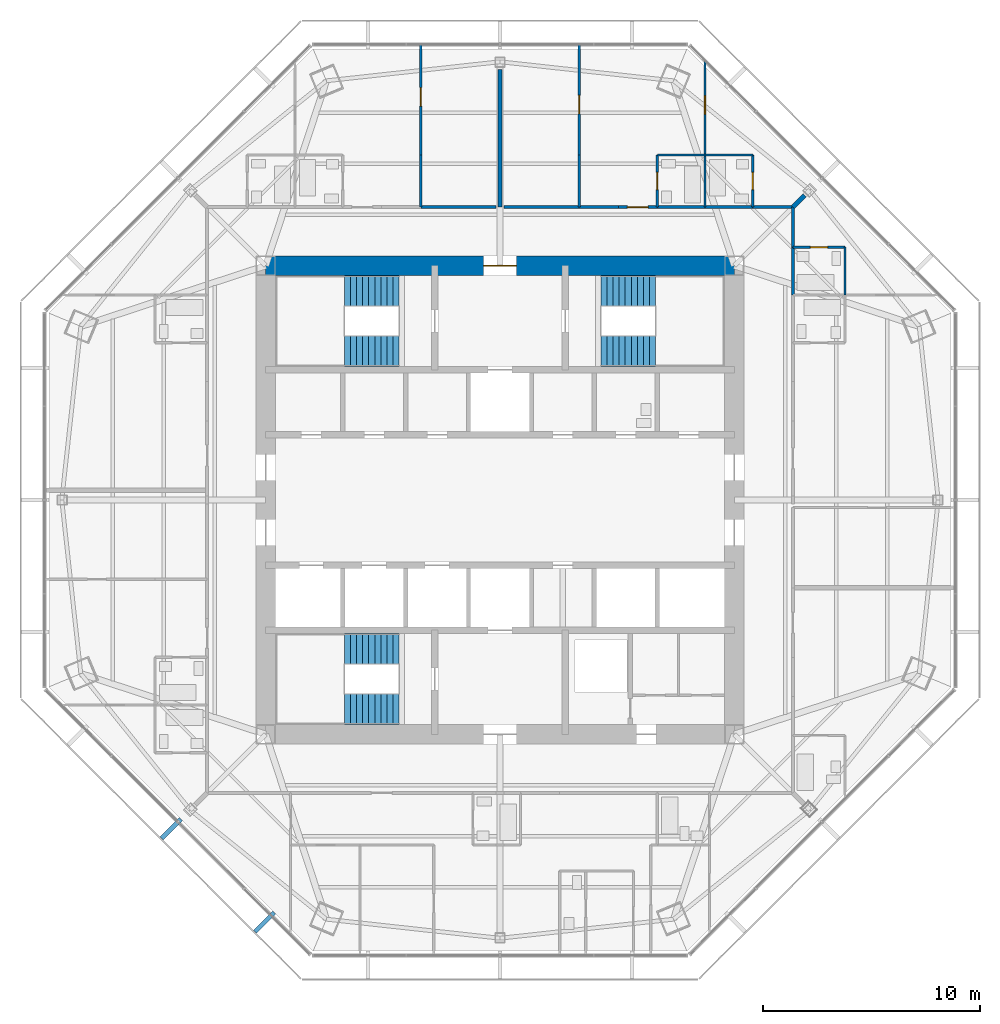
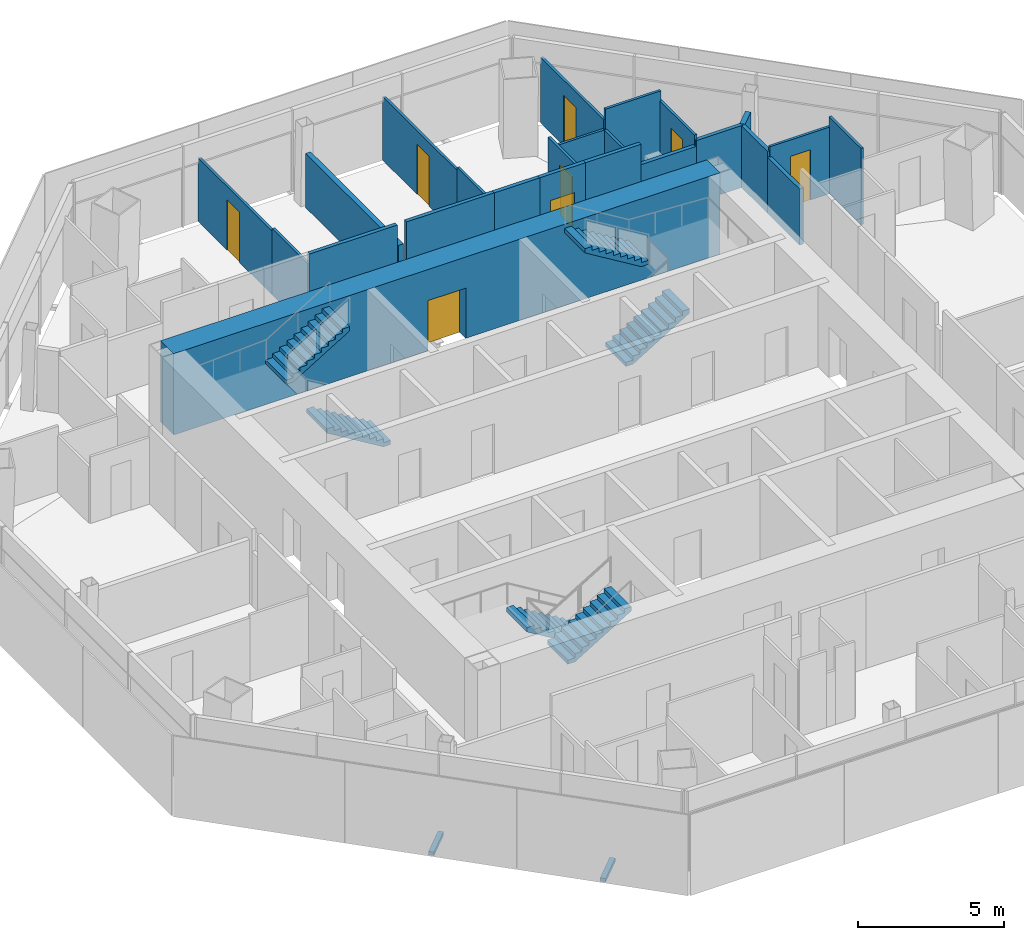
# One storey, part 12 of 15: 24 walls, 8 doors, 6 stair flights, 2 discrete accessories, 8 openings, 3 elements without a shape of their own.
"""IFC4 building model written with IfcOpenShell, lengths in metres."""

from ifc_helpers import new_model, si_unit, direction, frame, frame_2d, origin, origin_2d, place, context, subcontext, project, spatial, polyline, rectangle, outline, extrude, source, transform, mapped, material, layer, layer_set, type_object, type_shapes, element, fill, aggregate, save


model = new_model("IFC4")

# Units and contexts
model_context = context("Model", 3, precision=1e-05, world=origin(), true_north=direction((0.0, 1.0)))
body_context = subcontext(model_context, "Body", "Model", "MODEL_VIEW")
ifc_project = project(units=[si_unit("LENGTHUNIT", "METRE"), si_unit("AREAUNIT", "SQUARE_METRE"), si_unit("VOLUMEUNIT", "CUBIC_METRE"), si_unit("PLANEANGLEUNIT", "RADIAN"), si_unit("MASSUNIT", "GRAM", prefix="KILO")], contexts=[model_context])

# Site, building, storey
site_placement = place(None, origin())
site = spatial("IfcSite", under=ifc_project, at=site_placement, CompositionType="ELEMENT")
building_placement = place(site_placement, origin())
building = spatial("IfcBuilding", under=site, at=building_placement, Name="Mashrafa Tower", CompositionType="ELEMENT")
storey_placement = place(building_placement, frame((0.0, 0.0, 248.199951171875)))
storey = spatial("IfcBuildingStorey", under=building, at=storey_placement, Name="L59", CompositionType="ELEMENT", Elevation=248.199951171875)

# Walls
ifc_material_1 = material(Name="Gypsum board on steel studs", Category="steel")
ifc_layer_1 = layer(ifc_material_1, 0.199951171875)
ifc_layer_set_1 = layer_set([ifc_layer_1], Name="Acoustic partition 200 1 hr")
wall_type_1 = type_object("IfcWallType", Name="Acoustic partition 200 1 hr", PredefinedType="PARTITIONING", material=ifc_layer_set_1)
wall_1_placement = place(storey_placement, frame((14.038330078125, 14.038330078125, 0.0), z_axis=(0.0, 0.0, 1.0), x_axis=(-0.707106781187, -0.707106781187, 0.0)))
element("IfcWall", 1, at=wall_1_placement, inside=storey, type_object=wall_type_1, Name="Acoustic wall L59-055", PredefinedType="PARTITIONING", context=body_context, shape_type="SweptSolid", body=[
    extrude(rectangle(XDim=0.76123046875, YDim=0.199951171875, at=frame_2d((0.380615234375, 0.0))), origin(), (0.0, 0.0, 1.0), 2.588134765625),
])
wall_2_placement = place(storey_placement, frame((0.0, 19.853271484375, 0.0), z_axis=(0.0, 0.0, 1.0), x_axis=(0.0, -1.0, 0.0)))
element("IfcWall", 2, at=wall_2_placement, inside=storey, type_object=wall_type_1, Name="Acoustic wall L59-067", PredefinedType="PARTITIONING", context=body_context, shape_type="SweptSolid", body=[
    extrude(rectangle(XDim=6.353271484375, YDim=0.199951171875, at=frame_2d((3.1767578125, 0.0))), origin(), (0.0, 0.0, 1.0), 2.26806640625),
])

# Wall, opening, door
ifc_material_2 = material(Name="Concrete C50/60", Category="concrete")
ifc_layer_2 = layer(ifc_material_2, 0.89990234375)
ifc_layer_set_2 = layer_set([ifc_layer_2], Name="Core wall 900 C50/60")
wall_type_2 = type_object("IfcWallType", Name="Core wall 900 C50/60", PredefinedType="SOLIDWALL", material=ifc_layer_set_2)
wall_3_placement = place(storey_placement, frame((10.800048828125, 10.800048828125, 0.0), z_axis=(0.0, 0.0, 1.0), x_axis=(-1.0, 0.0, 0.0)))
wall_3 = element("IfcWall", 3, at=wall_3_placement, inside=storey, type_object=wall_type_2, Name="Core wall CW-N L59", PredefinedType="SOLIDWALL", context=body_context, shape_type="SweptSolid", body=[
    extrude(rectangle(XDim=21.60009765625, YDim=0.89990234375, at=frame_2d((10.800048828125, 0.0))), origin(), (0.0, 0.0, 1.0), 3.400146484375),
])
opening_1_placement = place(wall_3_placement, frame((10.050048828125, 0.0, 0.0)))
opening_1 = element("IfcOpeningElement", 4, at=opening_1_placement, cuts=wall_3, Name="Opening 59.040", PredefinedType="OPENING", context=body_context, shape_type="SweptSolid", body=[
    extrude(rectangle(XDim=1.5, YDim=2.10009765625, at=frame_2d((0.75, 1.050048828125))), frame((0.0, 0.4599609375, 0.0), z_axis=(0.0, -1.0, 0.0), x_axis=(1.0, 0.0, 0.0)), (0.0, 0.0, 1.0), 0.919921875),
])
ifc_material_3 = material(Name="Steel door", Category="steel")
door_type_1 = type_object("IfcDoorType", Name="Lobby door pair 1500 x 2100 90 min", OperationType="DOUBLE_DOOR_SINGLE_SWING", PredefinedType="DOOR", material=ifc_material_3)
door_1_placement = place(opening_1_placement, origin())
door_1 = element("IfcDoor", 5, at=door_1_placement, inside=storey, type_object=door_type_1, Name="Fire-fighting lobby F1 door L59", OperationType="DOUBLE_DOOR_SINGLE_SWING", OverallHeight=2.10009765625, OverallWidth=1.5, PredefinedType="DOOR", context=body_context, shape_type="SweptSolid", body=[
    extrude(rectangle(XDim=1.5, YDim=2.10009765625, at=frame_2d((0.75, 1.050048828125))), frame((0.0, 0.02490234375, 0.0), z_axis=(0.0, -1.0, 0.0), x_axis=(1.0, 0.0, 0.0)), (0.0, 0.0, 1.0), 0.050048828125),
])
fill(opening_1, door_1)

# Walls
ifc_material_4 = material(Name="Gypsum board on steel studs", Category="steel")
ifc_layer_3 = layer(ifc_material_4, 0.14990234375)
ifc_layer_set_3 = layer_set([ifc_layer_3], Name="Corridor partition 150 1 hr")
wall_type_3 = type_object("IfcWallType", Name="Corridor partition 150 1 hr", PredefinedType="PARTITIONING", material=ifc_layer_set_3)
wall_4_placement = place(storey_placement, frame((13.5, 9.448974609375, 0.0), z_axis=(0.0, 0.0, 1.0), x_axis=(0.0, 1.0, 0.0)))
element("IfcWall", 6, at=wall_4_placement, inside=storey, type_object=wall_type_3, Name="Corridor wall L59-005", PredefinedType="PARTITIONING", context=body_context, shape_type="SweptSolid", body=[
    extrude(rectangle(XDim=2.201904296875, YDim=0.14990234375, at=frame_2d((1.10107421875, 0.0))), origin(), (0.0, 0.0, 1.0), 2.349365234375),
])
wall_5_placement = place(storey_placement, frame((13.5, 11.64892578125, 0.0), z_axis=(0.0, 0.0, 1.0), x_axis=(0.0, 1.0, 0.0)))
element("IfcWall", 7, at=wall_5_placement, inside=storey, type_object=wall_type_3, Name="Corridor wall L59-006", PredefinedType="PARTITIONING", context=body_context, shape_type="SweptSolid", body=[
    extrude(rectangle(XDim=1.85107421875, YDim=0.14990234375, at=frame_2d((0.925537109375, 0.0))), origin(), (0.0, 0.0, 1.0), 2.588134765625),
])
wall_6_placement = place(storey_placement, frame((11.65087890625, 13.5, 0.0), z_axis=(0.0, 0.0, 1.0), x_axis=(-1.0, 0.0, 0.0)))
element("IfcWall", 8, at=wall_6_placement, inside=storey, type_object=wall_type_3, Name="Corridor wall L59-013", PredefinedType="PARTITIONING", context=body_context, shape_type="SweptSolid", body=[
    extrude(rectangle(XDim=2.201904296875, YDim=0.14990234375, at=frame_2d((1.10107421875, 0.0))), origin(), (0.0, 0.0, 1.0), 2.349365234375),
])
wall_7_placement = place(storey_placement, frame((13.5, 13.5, 0.0), z_axis=(0.0, 0.0, 1.0), x_axis=(-1.0, 0.0, 0.0)))
element("IfcWall", 9, at=wall_7_placement, inside=storey, type_object=wall_type_3, Name="Corridor wall L59-014", PredefinedType="PARTITIONING", context=body_context, shape_type="SweptSolid", body=[
    extrude(rectangle(XDim=1.85107421875, YDim=0.14990234375, at=frame_2d((0.925537109375, 0.0))), origin(), (0.0, 0.0, 1.0), 2.588134765625),
])
wall_8_placement = place(storey_placement, frame((9.450927734375, 13.5, 0.0), z_axis=(0.0, 0.0, 1.0), x_axis=(-1.0, 0.0, 0.0)))
element("IfcWall", 10, at=wall_8_placement, inside=storey, type_object=wall_type_3, Name="Corridor wall L59-015", PredefinedType="PARTITIONING", context=body_context, shape_type="SweptSolid", body=[
    extrude(rectangle(XDim=2.201904296875, YDim=0.14990234375, at=frame_2d((1.10107421875, 0.0))), origin(), (0.0, 0.0, 1.0), 3.199951171875),
])
wall_9_placement = place(storey_placement, frame((5.450927734375, 13.5, 0.0), z_axis=(0.0, 0.0, 1.0), x_axis=(-1.0, 0.0, 0.0)))
element("IfcWall", 11, at=wall_9_placement, inside=storey, type_object=wall_type_3, Name="Corridor wall L59-016", PredefinedType="PARTITIONING", context=body_context, shape_type="SweptSolid", body=[
    extrude(rectangle(XDim=1.802001953125, YDim=0.14990234375, at=frame_2d((0.90087890625, 0.0))), origin(), (0.0, 0.0, 1.0), 3.199951171875),
])
wall_10_placement = place(storey_placement, frame((3.65087890625, 13.5, 0.0), z_axis=(0.0, 0.0, 1.0), x_axis=(-1.0, 0.0, 0.0)))
element("IfcWall", 12, at=wall_10_placement, inside=storey, type_object=wall_type_3, Name="Corridor wall L59-017", PredefinedType="PARTITIONING", context=body_context, shape_type="SweptSolid", body=[
    extrude(rectangle(XDim=3.468505859375, YDim=0.14990234375, at=frame_2d((1.734375, 0.0))), origin(), (0.0, 0.0, 1.0), 3.199951171875),
])

# Wall, opening, door
wall_11_placement = place(storey_placement, frame((7.2509765625, 13.5, 0.0), z_axis=(0.0, 0.0, 1.0), x_axis=(-1.0, 0.0, 0.0)))
wall_11 = element("IfcWall", 13, at=wall_11_placement, inside=storey, type_object=wall_type_3, Name="Corridor wall L59-018", PredefinedType="PARTITIONING", context=body_context, shape_type="SweptSolid", body=[
    extrude(rectangle(XDim=1.802001953125, YDim=0.14990234375, at=frame_2d((0.90087890625, 0.0))), origin(), (0.0, 0.0, 1.0), 3.199951171875),
])
opening_2_placement = place(wall_11_placement, frame((0.426025390625, 0.0, 0.0)))
opening_2 = element("IfcOpeningElement", 14, at=opening_2_placement, cuts=wall_11, Name="Opening 59.012", PredefinedType="OPENING", context=body_context, shape_type="SweptSolid", body=[
    extrude(rectangle(XDim=0.949951171875, YDim=2.10009765625, at=frame_2d((0.47509765625, 1.050048828125))), frame((0.0, 0.0849609375, 0.0), z_axis=(0.0, -1.0, 0.0), x_axis=(1.0, 0.0, 0.0)), (0.0, 0.0, 1.0), 0.169921875),
])
ifc_material_5 = material(Name="Steel door", Category="steel")
door_type_2 = type_object("IfcDoorType", Name="Residence entrance door 950 x 2100 20 min", OperationType="USERDEFINED", PredefinedType="DOOR", material=ifc_material_5)
door_2_placement = place(opening_2_placement, frame((0.949951171875, 0.0, 0.0), z_axis=(0.0, 0.0, 1.0), x_axis=(-1.0, 0.0, 0.0)))
door_2 = element("IfcDoor", 15, at=door_2_placement, inside=storey, type_object=door_type_2, Name="Apartment 5903 Living Room door", OperationType="SINGLE_SWING_LEFT", OverallHeight=2.10009765625, OverallWidth=0.949951171875, PredefinedType="DOOR", context=body_context, shape_type="SweptSolid", body=[
    extrude(rectangle(XDim=0.949951171875, YDim=2.10009765625, at=frame_2d((0.47509765625, 1.050048828125))), frame((0.0, 0.02490234375, 0.0), z_axis=(0.0, -1.0, 0.0), x_axis=(1.0, 0.0, 0.0)), (0.0, 0.0, 1.0), 0.050048828125),
])
fill(opening_2, door_2)

# Walls
wall_12_placement = place(storey_placement, frame((-0.182373046875, 13.5, 0.0), z_axis=(0.0, 0.0, 1.0), x_axis=(-1.0, 0.0, 0.0)))
element("IfcWall", 16, at=wall_12_placement, inside=storey, type_object=wall_type_3, Name="Corridor wall L59-023", PredefinedType="PARTITIONING", context=body_context, shape_type="SweptSolid", body=[
    extrude(rectangle(XDim=3.468505859375, YDim=0.14990234375, at=frame_2d((1.734375, 0.0))), origin(), (0.0, 0.0, 1.0), 3.199951171875),
])
ifc_material_6 = material(Name="Gypsum board on steel studs", Category="steel")
ifc_layer_4 = layer(ifc_material_6, 0.10009765625)
ifc_layer_set_4 = layer_set([ifc_layer_4], Name="Partition 100")
wall_type_4 = type_object("IfcWallType", Name="Partition 100", PredefinedType="PARTITIONING", material=ifc_layer_set_4)
wall_13_placement = place(storey_placement, frame((15.89990234375, 9.449951171875, 0.0), z_axis=(0.0, 0.0, 1.0), x_axis=(0.0, 1.0, 0.0)))
element("IfcWall", 17, at=wall_13_placement, inside=storey, type_object=wall_type_4, Name="Partition wall L59-051", PredefinedType="PARTITIONING", context=body_context, shape_type="SweptSolid", body=[
    extrude(rectangle(XDim=2.199951171875, YDim=0.10009765625, at=frame_2d((1.10009765625, 0.0))), origin(), (0.0, 0.0, 1.0), 3.199951171875),
])

# Wall, opening, door
wall_14_placement = place(storey_placement, frame((15.89990234375, 11.64990234375, 0.0), z_axis=(0.0, 0.0, 1.0), x_axis=(-1.0, 0.0, 0.0)))
wall_14 = element("IfcWall", 18, at=wall_14_placement, inside=storey, type_object=wall_type_4, Name="Partition wall L59-052", PredefinedType="PARTITIONING", context=body_context, shape_type="SweptSolid", body=[
    extrude(rectangle(XDim=2.39990234375, YDim=0.10009765625, at=frame_2d((1.199951171875, 0.0))), origin(), (0.0, 0.0, 1.0), 2.7861328125),
])
opening_3_placement = place(wall_14_placement, frame((0.800048828125, 0.0, 0.0)))
opening_3 = element("IfcOpeningElement", 19, at=opening_3_placement, cuts=wall_14, Name="Opening 59.003", PredefinedType="OPENING", context=body_context, shape_type="SweptSolid", body=[
    extrude(rectangle(XDim=0.800048828125, YDim=2.10009765625, at=frame_2d((0.39990234375, 1.050048828125))), frame((0.0, 0.06005859375, 0.0), z_axis=(0.0, -1.0, 0.0), x_axis=(1.0, 0.0, 0.0)), (0.0, 0.0, 1.0), 0.1201171875),
])
ifc_material_7 = material(Name="Timber door", Category="wood")
door_type_3 = type_object("IfcDoorType", Name="Bathroom door 800 x 2100", OperationType="USERDEFINED", PredefinedType="DOOR", material=ifc_material_7)
door_3_placement = place(opening_3_placement, origin())
door_3 = element("IfcDoor", 20, at=door_3_placement, inside=storey, type_object=door_type_3, Name="Apartment 5902 En-suite Bathroom door", OperationType="SINGLE_SWING_LEFT", OverallHeight=2.10009765625, OverallWidth=0.800048828125, PredefinedType="DOOR", context=body_context, shape_type="SweptSolid", body=[
    extrude(rectangle(XDim=0.800048828125, YDim=2.10009765625, at=frame_2d((0.39990234375, 1.050048828125))), frame((0.0, 0.02490234375, 0.0), z_axis=(0.0, -1.0, 0.0), x_axis=(1.0, 0.0, 0.0)), (0.0, 0.0, 1.0), 0.050048828125),
])
fill(opening_3, door_3)

wall_15_placement = place(storey_placement, frame((11.64990234375, 13.5, 0.0), z_axis=(0.0, 0.0, 1.0), x_axis=(0.0, 1.0, 0.0)))
wall_15 = element("IfcWall", 21, at=wall_15_placement, inside=storey, type_object=wall_type_4, Name="Partition wall L59-059", PredefinedType="PARTITIONING", context=body_context, shape_type="SweptSolid", body=[
    extrude(rectangle(XDim=2.39990234375, YDim=0.10009765625, at=frame_2d((1.199951171875, 0.0))), origin(), (0.0, 0.0, 1.0), 2.7861328125),
])
opening_4_placement = place(wall_15_placement, frame((0.800048828125, 0.0, 0.0)))
opening_4 = element("IfcOpeningElement", 22, at=opening_4_placement, cuts=wall_15, Name="Opening 59.008", PredefinedType="OPENING", context=body_context, shape_type="SweptSolid", body=[
    extrude(rectangle(XDim=0.800048828125, YDim=2.10009765625, at=frame_2d((0.39990234375, 1.050048828125))), frame((0.0, 0.06005859375, 0.0), z_axis=(0.0, -1.0, 0.0), x_axis=(1.0, 0.0, 0.0)), (0.0, 0.0, 1.0), 0.1201171875),
])
door_4_placement = place(opening_4_placement, origin())
door_4 = element("IfcDoor", 23, at=door_4_placement, inside=storey, type_object=door_type_3, Name="Apartment 5903 En-suite Bathroom door", OperationType="SINGLE_SWING_RIGHT", OverallHeight=2.10009765625, OverallWidth=0.800048828125, PredefinedType="DOOR", context=body_context, shape_type="SweptSolid", body=[
    extrude(rectangle(XDim=0.800048828125, YDim=2.10009765625, at=frame_2d((0.39990234375, 1.050048828125))), frame((0.0, 0.02490234375, 0.0), z_axis=(0.0, -1.0, 0.0), x_axis=(1.0, 0.0, 0.0)), (0.0, 0.0, 1.0), 0.050048828125),
])
fill(opening_4, door_4)

# Walls
wall_16_placement = place(storey_placement, frame((11.64990234375, 15.89990234375, 0.0), z_axis=(0.0, 0.0, 1.0), x_axis=(-1.0, 0.0, 0.0)))
element("IfcWall", 24, at=wall_16_placement, inside=storey, type_object=wall_type_4, Name="Partition wall L59-060", PredefinedType="PARTITIONING", context=body_context, shape_type="SweptSolid", body=[
    extrude(rectangle(XDim=2.199951171875, YDim=0.10009765625, at=frame_2d((1.10009765625, 0.0))), origin(), (0.0, 0.0, 1.0), 3.199951171875),
])
wall_17_placement = place(storey_placement, frame((9.449951171875, 15.89990234375, 0.0), z_axis=(0.0, 0.0, 1.0), x_axis=(0.0, -1.0, 0.0)))
element("IfcWall", 25, at=wall_17_placement, inside=storey, type_object=wall_type_4, Name="Partition wall L59-061", PredefinedType="PARTITIONING", context=body_context, shape_type="SweptSolid", body=[
    extrude(rectangle(XDim=2.39990234375, YDim=0.10009765625, at=frame_2d((1.199951171875, 0.0))), origin(), (0.0, 0.0, 1.0), 2.349365234375),
])

# Wall, opening, door
wall_18_placement = place(storey_placement, frame((9.449951171875, 20.217529296875, 0.0), z_axis=(0.0, 0.0, 1.0), x_axis=(0.0, -1.0, 0.0)))
wall_18 = element("IfcWall", 26, at=wall_18_placement, inside=storey, type_object=wall_type_4, Name="Partition wall L59-062", PredefinedType="PARTITIONING", context=body_context, shape_type="SweptSolid", body=[
    extrude(rectangle(XDim=4.317626953125, YDim=0.10009765625, at=frame_2d((2.15869140625, 0.0))), origin(), (0.0, 0.0, 1.0), 2.740478515625),
])
opening_5_placement = place(wall_18_placement, frame((1.5869140625, 0.0, 0.0)))
opening_5 = element("IfcOpeningElement", 27, at=opening_5_placement, cuts=wall_18, Name="Opening 59.009", PredefinedType="OPENING", context=body_context, shape_type="SweptSolid", body=[
    extrude(rectangle(XDim=0.85009765625, YDim=2.10009765625, at=frame_2d((0.425048828125, 1.050048828125))), frame((0.0, 0.06005859375, 0.0), z_axis=(0.0, -1.0, 0.0), x_axis=(1.0, 0.0, 0.0)), (0.0, 0.0, 1.0), 0.1201171875),
])
ifc_material_8 = material(Name="Timber door", Category="wood")
door_type_4 = type_object("IfcDoorType", Name="Bedroom door 850 x 2100", OperationType="USERDEFINED", PredefinedType="DOOR", material=ifc_material_8)
door_5_placement = place(opening_5_placement, origin())
door_5 = element("IfcDoor", 28, at=door_5_placement, inside=storey, type_object=door_type_4, Name="Apartment 5903 Bedroom 1 door", OperationType="SINGLE_SWING_LEFT", OverallHeight=2.10009765625, OverallWidth=0.85009765625, PredefinedType="DOOR", context=body_context, shape_type="SweptSolid", body=[
    extrude(rectangle(XDim=0.85009765625, YDim=2.10009765625, at=frame_2d((0.425048828125, 1.050048828125))), frame((0.0, 0.02490234375, 0.0), z_axis=(0.0, -1.0, 0.0), x_axis=(1.0, 0.0, 0.0)), (0.0, 0.0, 1.0), 0.050048828125),
])
fill(opening_5, door_5)

# Wall
wall_19_placement = place(storey_placement, frame((9.449951171875, 15.89990234375, 0.0), z_axis=(0.0, 0.0, 1.0), x_axis=(-1.0, 0.0, 0.0)))
element("IfcWall", 29, at=wall_19_placement, inside=storey, type_object=wall_type_4, Name="Partition wall L59-063", PredefinedType="PARTITIONING", context=body_context, shape_type="SweptSolid", body=[
    extrude(rectangle(XDim=2.199951171875, YDim=0.10009765625, at=frame_2d((1.10009765625, 0.0))), origin(), (0.0, 0.0, 1.0), 2.349365234375),
])

# Wall, opening, door
wall_20_placement = place(storey_placement, frame((7.25, 15.89990234375, 0.0), z_axis=(0.0, 0.0, 1.0), x_axis=(0.0, -1.0, 0.0)))
wall_20 = element("IfcWall", 30, at=wall_20_placement, inside=storey, type_object=wall_type_4, Name="Partition wall L59-064", PredefinedType="PARTITIONING", context=body_context, shape_type="SweptSolid", body=[
    extrude(rectangle(XDim=2.39990234375, YDim=0.10009765625, at=frame_2d((1.199951171875, 0.0))), origin(), (0.0, 0.0, 1.0), 2.78369140625),
])
opening_6_placement = place(wall_20_placement, frame((0.800048828125, 0.0, 0.0)))
opening_6 = element("IfcOpeningElement", 31, at=opening_6_placement, cuts=wall_20, Name="Opening 59.010", PredefinedType="OPENING", context=body_context, shape_type="SweptSolid", body=[
    extrude(rectangle(XDim=0.800048828125, YDim=2.10009765625, at=frame_2d((0.39990234375, 1.050048828125))), frame((0.0, 0.06005859375, 0.0), z_axis=(0.0, -1.0, 0.0), x_axis=(1.0, 0.0, 0.0)), (0.0, 0.0, 1.0), 0.1201171875),
])
door_6_placement = place(opening_6_placement, origin())
door_6 = element("IfcDoor", 32, at=door_6_placement, inside=storey, type_object=door_type_3, Name="Apartment 5903 Bathroom door", OperationType="SINGLE_SWING_LEFT", OverallHeight=2.10009765625, OverallWidth=0.800048828125, PredefinedType="DOOR", context=body_context, shape_type="SweptSolid", body=[
    extrude(rectangle(XDim=0.800048828125, YDim=2.10009765625, at=frame_2d((0.39990234375, 1.050048828125))), frame((0.0, 0.02490234375, 0.0), z_axis=(0.0, -1.0, 0.0), x_axis=(1.0, 0.0, 0.0)), (0.0, 0.0, 1.0), 0.050048828125),
])
fill(opening_6, door_6)

# Wall
wall_21_placement = place(storey_placement, frame((3.64990234375, 15.89990234375, 0.0), z_axis=(0.0, 0.0, 1.0), x_axis=(0.0, -1.0, 0.0)))
element("IfcWall", 33, at=wall_21_placement, inside=storey, type_object=wall_type_4, Name="Partition wall L59-065", PredefinedType="PARTITIONING", context=body_context, shape_type="SweptSolid", body=[
    extrude(rectangle(XDim=2.39990234375, YDim=0.10009765625, at=frame_2d((1.199951171875, 0.0))), origin(), (0.0, 0.0, 1.0), 2.78369140625),
])

# Wall, opening, door
wall_22_placement = place(storey_placement, frame((3.64990234375, 15.89892578125, 0.0), z_axis=(0.0, 0.0, 1.0), x_axis=(0.0, 1.0, 0.0)))
wall_22 = element("IfcWall", 34, at=wall_22_placement, inside=storey, type_object=wall_type_4, Name="Partition wall L59-066", PredefinedType="PARTITIONING", context=body_context, shape_type="SweptSolid", body=[
    extrude(rectangle(XDim=5.07861328125, YDim=0.10009765625, at=frame_2d((2.539306640625, 0.0))), origin(), (0.0, 0.0, 1.0), 2.661865234375),
])
opening_7_placement = place(wall_22_placement, frame((1.897216796875, 0.0, 0.0)))
opening_7 = element("IfcOpeningElement", 35, at=opening_7_placement, cuts=wall_22, Name="Opening 59.011", PredefinedType="OPENING", context=body_context, shape_type="SweptSolid", body=[
    extrude(rectangle(XDim=0.85009765625, YDim=2.10009765625, at=frame_2d((0.425048828125, 1.050048828125))), frame((0.0, 0.06005859375, 0.0), z_axis=(0.0, -1.0, 0.0), x_axis=(1.0, 0.0, 0.0)), (0.0, 0.0, 1.0), 0.1201171875),
])
door_7_placement = place(opening_7_placement, origin())
door_7 = element("IfcDoor", 36, at=door_7_placement, inside=storey, type_object=door_type_4, Name="Apartment 5903 Bedroom 2 door", OperationType="SINGLE_SWING_RIGHT", OverallHeight=2.10009765625, OverallWidth=0.85009765625, PredefinedType="DOOR", context=body_context, shape_type="SweptSolid", body=[
    extrude(rectangle(XDim=0.85009765625, YDim=2.10009765625, at=frame_2d((0.425048828125, 1.050048828125))), frame((0.0, 0.02490234375, 0.0), z_axis=(0.0, -1.0, 0.0), x_axis=(1.0, 0.0, 0.0)), (0.0, 0.0, 1.0), 0.050048828125),
])
fill(opening_7, door_7)

# Wall
wall_23_placement = place(storey_placement, frame((-3.64990234375, 13.5, 0.0), z_axis=(0.0, 0.0, 1.0), x_axis=(0.0, 1.0, 0.0)))
element("IfcWall", 37, at=wall_23_placement, inside=storey, type_object=wall_type_4, Name="Partition wall L59-075", PredefinedType="PARTITIONING", context=body_context, shape_type="SweptSolid", body=[
    extrude(rectangle(XDim=2.39990234375, YDim=0.10009765625, at=frame_2d((1.199951171875, 0.0))), origin(), (0.0, 0.0, 1.0), 2.78369140625),
])

# Wall, opening, door
wall_24_placement = place(storey_placement, frame((-3.64990234375, 20.9775390625, 0.0), z_axis=(0.0, 0.0, 1.0), x_axis=(0.0, -1.0, 0.0)))
wall_24 = element("IfcWall", 38, at=wall_24_placement, inside=storey, type_object=wall_type_4, Name="Partition wall L59-076", PredefinedType="PARTITIONING", context=body_context, shape_type="SweptSolid", body=[
    extrude(rectangle(XDim=5.07861328125, YDim=0.10009765625, at=frame_2d((2.539306640625, 0.0))), origin(), (0.0, 0.0, 1.0), 2.661865234375),
])
opening_8_placement = place(wall_24_placement, frame((1.976318359375, 0.0, 0.0)))
opening_8 = element("IfcOpeningElement", 39, at=opening_8_placement, cuts=wall_24, Name="Opening 59.016", PredefinedType="OPENING", context=body_context, shape_type="SweptSolid", body=[
    extrude(rectangle(XDim=0.85009765625, YDim=2.10009765625, at=frame_2d((0.425048828125, 1.050048828125))), frame((0.0, 0.06005859375, 0.0), z_axis=(0.0, -1.0, 0.0), x_axis=(1.0, 0.0, 0.0)), (0.0, 0.0, 1.0), 0.1201171875),
])
door_8_placement = place(opening_8_placement, origin())
door_8 = element("IfcDoor", 40, at=door_8_placement, inside=storey, type_object=door_type_4, Name="Apartment 5904 Bedroom 2 door", OperationType="SINGLE_SWING_LEFT", OverallHeight=2.10009765625, OverallWidth=0.85009765625, PredefinedType="DOOR", context=body_context, shape_type="SweptSolid", body=[
    extrude(rectangle(XDim=0.85009765625, YDim=2.10009765625, at=frame_2d((0.425048828125, 1.050048828125))), frame((0.0, 0.02490234375, 0.0), z_axis=(0.0, -1.0, 0.0), x_axis=(1.0, 0.0, 0.0)), (0.0, 0.0, 1.0), 0.050048828125),
])
fill(opening_8, door_8)

# Stair, stair flights
ifc_material_9 = material(Name="Exit stair 1400")
stair_type = type_object("IfcStairType", Name="Exit stair 1400", PredefinedType="HALF_TURN_STAIR", material=ifc_material_9)
stair_1_placement = place(storey_placement, origin())
stair_1 = element("IfcStair", 41, at=stair_1_placement, inside=storey, type_object=stair_type, Name="Stair S1 L59", PredefinedType="HALF_TURN_STAIR")
ifc_material_10 = material(Name="Concrete C32/40", Category="concrete")
stair_flight_type = type_object("IfcStairFlightType", Name="Stair flight 1400", PredefinedType="STRAIGHT", material=ifc_material_10)
stair_flight_1_placement = place(storey_placement, frame((-4.64990234375, 6.85009765625, 0.0), z_axis=(0.0, 0.0, 1.0), x_axis=(-1.0, 0.0, 0.0)))
stair_flight_1 = element("IfcStairFlight", 42, at=stair_flight_1_placement, type_object=stair_flight_type, Name="S1 flight 1", NumberOfRisers=10, NumberOfTreads=9, PredefinedType="STRAIGHT", RiserHeight=0.17, TreadLength=0.28, context=body_context, shape_type="SweptSolid", body=[
    extrude(outline(polyline([(0.0, 0.0), (0.0, 0.169921875), (0.280029296875, 0.169921875), (0.280029296875, 0.340087890625), (0.56005859375, 0.340087890625), (0.56005859375, 0.510009765625), (0.840087890625, 0.510009765625), (0.840087890625, 0.679931640625), (1.1201171875, 0.679931640625), (1.1201171875, 0.85009765625), (1.39990234375, 0.85009765625), (1.39990234375, 1.02001953125), (1.679931640625, 1.02001953125), (1.679931640625, 1.18994140625), (1.9599609375, 1.18994140625), (1.9599609375, 1.360107421875), (2.239990234375, 1.360107421875), (2.239990234375, 1.530029296875), (2.52001953125, 1.530029296875), (2.52001953125, 1.699951171875), (2.52001953125, 1.354736328125), (0.288818359375, 0.0), (0.0, 0.0)])), frame((0.0, 0.699951171875, 0.0), z_axis=(0.0, -1.0, 0.0), x_axis=(1.0, 0.0, 0.0)), (0.0, 0.0, 1.0), 1.39990234375),
])
stair_flight_2_placement = place(storey_placement, frame((-7.169921875, 9.64990234375, 1.699951171875), z_axis=(0.0, 0.0, 1.0), x_axis=(1.0, 0.0, 0.0)))
stair_flight_2 = element("IfcStairFlight", 43, at=stair_flight_2_placement, type_object=stair_flight_type, Name="S1 flight 2", NumberOfRisers=10, NumberOfTreads=9, PredefinedType="STRAIGHT", RiserHeight=0.17, TreadLength=0.28, context=body_context, shape_type="SweptSolid", body=[
    extrude(outline(polyline([(0.0, 0.0), (0.0, 0.169921875), (0.280029296875, 0.169921875), (0.280029296875, 0.340087890625), (0.56005859375, 0.340087890625), (0.56005859375, 0.510009765625), (0.840087890625, 0.510009765625), (0.840087890625, 0.679931640625), (1.1201171875, 0.679931640625), (1.1201171875, 0.85009765625), (1.39990234375, 0.85009765625), (1.39990234375, 1.02001953125), (1.679931640625, 1.02001953125), (1.679931640625, 1.18994140625), (1.9599609375, 1.18994140625), (1.9599609375, 1.360107421875), (2.239990234375, 1.360107421875), (2.239990234375, 1.530029296875), (2.52001953125, 1.530029296875), (2.52001953125, 1.699951171875), (2.52001953125, 1.354736328125), (0.288818359375, 0.0), (0.0, 0.0)])), frame((0.0, 0.699951171875, 0.0), z_axis=(0.0, -1.0, 0.0), x_axis=(1.0, 0.0, 0.0)), (0.0, 0.0, 1.0), 1.39990234375),
])
aggregate(stair_1, [stair_flight_1, stair_flight_2])

stair_2_placement = place(storey_placement, origin())
stair_2 = element("IfcStair", 44, at=stair_2_placement, inside=storey, type_object=stair_type, Name="Stair S2 L59", PredefinedType="HALF_TURN_STAIR")
stair_flight_3_placement = place(storey_placement, frame((4.64990234375, 6.85009765625, 0.0), z_axis=(0.0, 0.0, 1.0), x_axis=(1.0, 0.0, 0.0)))
stair_flight_3 = element("IfcStairFlight", 45, at=stair_flight_3_placement, type_object=stair_flight_type, Name="S2 flight 1", NumberOfRisers=10, NumberOfTreads=9, PredefinedType="STRAIGHT", RiserHeight=0.17, TreadLength=0.28, context=body_context, shape_type="SweptSolid", body=[
    extrude(outline(polyline([(0.0, 0.0), (0.0, 0.169921875), (0.280029296875, 0.169921875), (0.280029296875, 0.340087890625), (0.56005859375, 0.340087890625), (0.56005859375, 0.510009765625), (0.840087890625, 0.510009765625), (0.840087890625, 0.679931640625), (1.1201171875, 0.679931640625), (1.1201171875, 0.85009765625), (1.39990234375, 0.85009765625), (1.39990234375, 1.02001953125), (1.679931640625, 1.02001953125), (1.679931640625, 1.18994140625), (1.9599609375, 1.18994140625), (1.9599609375, 1.360107421875), (2.239990234375, 1.360107421875), (2.239990234375, 1.530029296875), (2.52001953125, 1.530029296875), (2.52001953125, 1.699951171875), (2.52001953125, 1.354736328125), (0.288818359375, 0.0), (0.0, 0.0)])), frame((0.0, 0.699951171875, 0.0), z_axis=(0.0, -1.0, 0.0), x_axis=(1.0, 0.0, 0.0)), (0.0, 0.0, 1.0), 1.39990234375),
])
stair_flight_4_placement = place(storey_placement, frame((7.169921875, 9.64990234375, 1.699951171875), z_axis=(0.0, 0.0, 1.0), x_axis=(-1.0, 0.0, 0.0)))
stair_flight_4 = element("IfcStairFlight", 46, at=stair_flight_4_placement, type_object=stair_flight_type, Name="S2 flight 2", NumberOfRisers=10, NumberOfTreads=9, PredefinedType="STRAIGHT", RiserHeight=0.17, TreadLength=0.28, context=body_context, shape_type="SweptSolid", body=[
    extrude(outline(polyline([(0.0, 0.0), (0.0, 0.169921875), (0.280029296875, 0.169921875), (0.280029296875, 0.340087890625), (0.56005859375, 0.340087890625), (0.56005859375, 0.510009765625), (0.840087890625, 0.510009765625), (0.840087890625, 0.679931640625), (1.1201171875, 0.679931640625), (1.1201171875, 0.85009765625), (1.39990234375, 0.85009765625), (1.39990234375, 1.02001953125), (1.679931640625, 1.02001953125), (1.679931640625, 1.18994140625), (1.9599609375, 1.18994140625), (1.9599609375, 1.360107421875), (2.239990234375, 1.360107421875), (2.239990234375, 1.530029296875), (2.52001953125, 1.530029296875), (2.52001953125, 1.699951171875), (2.52001953125, 1.354736328125), (0.288818359375, 0.0), (0.0, 0.0)])), frame((0.0, 0.699951171875, 0.0), z_axis=(0.0, -1.0, 0.0), x_axis=(1.0, 0.0, 0.0)), (0.0, 0.0, 1.0), 1.39990234375),
])
aggregate(stair_2, [stair_flight_3, stair_flight_4])

stair_3_placement = place(storey_placement, origin())
stair_3 = element("IfcStair", 47, at=stair_3_placement, inside=storey, type_object=stair_type, Name="Stair S3 L59", PredefinedType="HALF_TURN_STAIR")
stair_flight_5_placement = place(storey_placement, frame((-4.64990234375, -6.85009765625, 0.0), z_axis=(0.0, 0.0, 1.0), x_axis=(-1.0, 0.0, 0.0)))
stair_flight_5 = element("IfcStairFlight", 48, at=stair_flight_5_placement, type_object=stair_flight_type, Name="S3 flight 1", NumberOfRisers=10, NumberOfTreads=9, PredefinedType="STRAIGHT", RiserHeight=0.17, TreadLength=0.28, context=body_context, shape_type="SweptSolid", body=[
    extrude(outline(polyline([(0.0, 0.0), (0.0, 0.169921875), (0.280029296875, 0.169921875), (0.280029296875, 0.340087890625), (0.56005859375, 0.340087890625), (0.56005859375, 0.510009765625), (0.840087890625, 0.510009765625), (0.840087890625, 0.679931640625), (1.1201171875, 0.679931640625), (1.1201171875, 0.85009765625), (1.39990234375, 0.85009765625), (1.39990234375, 1.02001953125), (1.679931640625, 1.02001953125), (1.679931640625, 1.18994140625), (1.9599609375, 1.18994140625), (1.9599609375, 1.360107421875), (2.239990234375, 1.360107421875), (2.239990234375, 1.530029296875), (2.52001953125, 1.530029296875), (2.52001953125, 1.699951171875), (2.52001953125, 1.354736328125), (0.288818359375, 0.0), (0.0, 0.0)])), frame((0.0, 0.699951171875, 0.0), z_axis=(0.0, -1.0, 0.0), x_axis=(1.0, 0.0, 0.0)), (0.0, 0.0, 1.0), 1.39990234375),
])
stair_flight_6_placement = place(storey_placement, frame((-7.169921875, -9.64990234375, 1.699951171875), z_axis=(0.0, 0.0, 1.0), x_axis=(1.0, 0.0, 0.0)))
stair_flight_6 = element("IfcStairFlight", 49, at=stair_flight_6_placement, type_object=stair_flight_type, Name="S3 flight 2", NumberOfRisers=10, NumberOfTreads=9, PredefinedType="STRAIGHT", RiserHeight=0.17, TreadLength=0.28, context=body_context, shape_type="SweptSolid", body=[
    extrude(outline(polyline([(0.0, 0.0), (0.0, 0.169921875), (0.280029296875, 0.169921875), (0.280029296875, 0.340087890625), (0.56005859375, 0.340087890625), (0.56005859375, 0.510009765625), (0.840087890625, 0.510009765625), (0.840087890625, 0.679931640625), (1.1201171875, 0.679931640625), (1.1201171875, 0.85009765625), (1.39990234375, 0.85009765625), (1.39990234375, 1.02001953125), (1.679931640625, 1.02001953125), (1.679931640625, 1.18994140625), (1.9599609375, 1.18994140625), (1.9599609375, 1.360107421875), (2.239990234375, 1.360107421875), (2.239990234375, 1.530029296875), (2.52001953125, 1.530029296875), (2.52001953125, 1.699951171875), (2.52001953125, 1.354736328125), (0.288818359375, 0.0), (0.0, 0.0)])), frame((0.0, 0.699951171875, 0.0), z_axis=(0.0, -1.0, 0.0), x_axis=(1.0, 0.0, 0.0)), (0.0, 0.0, 1.0), 1.39990234375),
])
aggregate(stair_3, [stair_flight_5, stair_flight_6])

# Discrete accessories
ifc_material_11 = material(Name="Stainless steel screen bracket", Category="steel")
discrete_accessory_type = type_object("IfcDiscreteAccessoryType", Name="Screen support bracket 200 x 150", PredefinedType="BRACKET", material=ifc_material_11)
shared_shape = source(origin(), body_context, "Body", "SweptSolid", [
    extrude(rectangle(XDim=0.199951171875, YDim=1.27001953125, at=origin_2d()), origin(), (0.0, 0.0, 1.0), 0.14990234375),
])
type_shapes(discrete_accessory_type, [shared_shape])
for number, where, z_axis, x_axis, name in (
    (50, (-15.15234375, -15.15234375, -0.14990234375), (0.0, 0.0, 1.0), (0.707106781187, -0.707106781187, 0.0), "Screen support bracket L59 south-west 2"),
    (51, (-10.848876953125, -19.45556640625, -0.14990234375), (0.0, 0.0, 1.0), (0.707106781187, -0.707106781187, 0.0), "Screen support bracket L59 south-west 3"),
):
    element("IfcDiscreteAccessory", number, at=place(storey_placement, frame(where, z_axis=z_axis, x_axis=x_axis)), inside=storey, type_object=discrete_accessory_type, Name=name, PredefinedType="BRACKET", context=body_context, shape_type="MappedRepresentation", body=[
        mapped(shared_shape, transform((0.0, 0.0, 0.0))),
    ])

save(model, "model.ifc")
